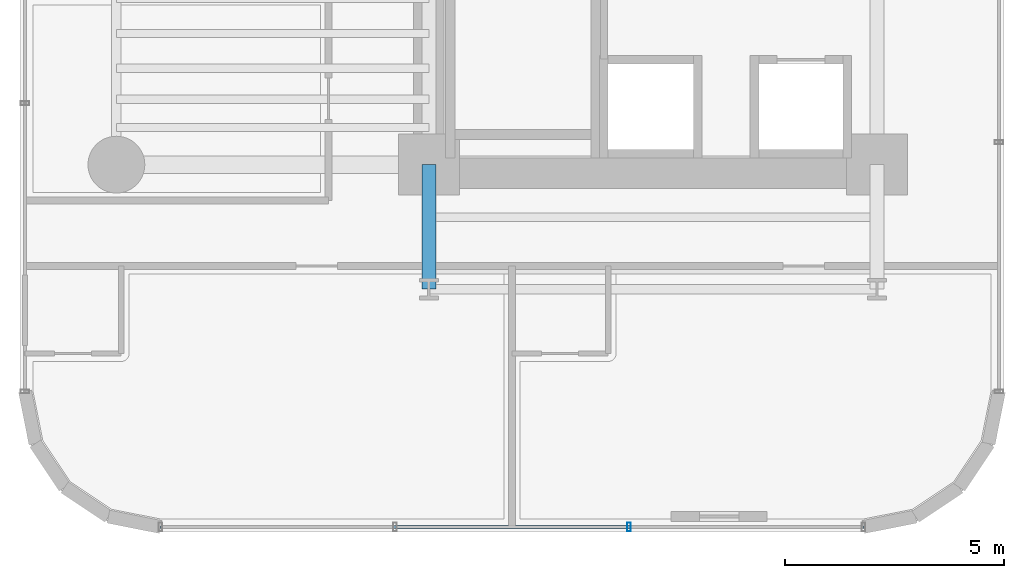
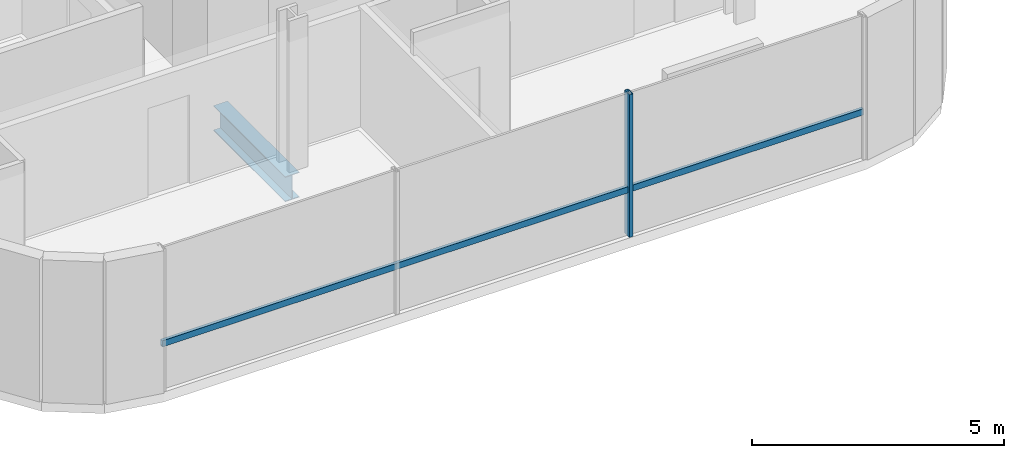
# One storey, part 3 of 40: 2 members, 1 beam, 1 element without a shape of its own.
"""IFC4 building model written with IfcOpenShell, lengths in metres."""

from ifc_helpers import new_model, si_unit, direction, frame, origin, origin_2d, place, context, subcontext, project, spatial, hollow_rectangle, i_section, extrude, source, transform, mapped, material, material_profile, profile_set, type_object, element, aggregate, save


model = new_model("IFC4")

# Units and contexts
model_context = context("Model", 3, precision=1e-05, world=origin(), true_north=direction((0.0, 1.0)))
body_context = subcontext(model_context, "Body", "Model", "MODEL_VIEW")
ifc_project = project(units=[si_unit("LENGTHUNIT", "METRE"), si_unit("AREAUNIT", "SQUARE_METRE"), si_unit("VOLUMEUNIT", "CUBIC_METRE"), si_unit("PLANEANGLEUNIT", "RADIAN"), si_unit("MASSUNIT", "GRAM", prefix="KILO")], contexts=[model_context])

# Site, building, storey
site_placement = place(None, origin())
site = spatial("IfcSite", under=ifc_project, at=site_placement, CompositionType="ELEMENT")
building_placement = place(site_placement, origin())
building = spatial("IfcBuilding", under=site, at=building_placement, Name="Valdorenza Pilgrim Sanctuary Tower", CompositionType="ELEMENT")
storey_placement = place(building_placement, frame((0.0, 0.0, 40.800048828125)))
storey = spatial("IfcBuildingStorey", under=building, at=storey_placement, Name="L09", CompositionType="ELEMENT", Elevation=40.800048828125)

# Beam
ifc_material_1 = material(Name="Steel ASTM A992 Grade 50", Category="steel")
ifc_material_profile_1 = material_profile(ifc_material_1, i_section(OverallWidth=0.323974609375, OverallDepth=0.611083984375, WebThickness=0.0126953125, FlangeThickness=0.01904296875, at=origin_2d()), Name="W24X104")
ifc_profile_set_1 = profile_set([ifc_material_profile_1], Name="Steel ASTM A992 Grade 50")
beam_type = type_object("IfcBeamType", Name="STR-BM-GRD-W24B", PredefinedType="BEAM", material=ifc_profile_set_1)
shared_shape_1 = source(origin(), body_context, "Body", "SweptSolid", [
    extrude(i_section(OverallWidth=0.323974609375, OverallDepth=0.611083984375, WebThickness=0.0126953125, FlangeThickness=0.01904296875, at=origin_2d()), origin(), (0.0, 0.0, 1.0), 2.849853515625),
])
beam_placement = place(storey_placement, frame((-22.64990234375, -13.449951171875, -0.545654296875), z_axis=(0.0, 1.0, 0.0), x_axis=(-1.0, 0.0, 0.0)))
element("IfcBeam", 1, at=beam_placement, inside=storey, type_object=beam_type, Name="L09 Floor Girder WA-S-LW", PredefinedType="BEAM", context=body_context, shape_type="MappedRepresentation", body=[
    mapped(shared_shape_1, transform((0.0, 0.0, 0.0), x_axis=(1.0, 0.0, 0.0), y_axis=(0.0, 1.0, 0.0), z_axis=(0.0, 0.0, 1.0), scale=1.0)),
])

# Curtain wall, members
ifc_material_2 = material(Name="Curtain-wall IGU glazing", Category="glass")
curtain_wall_type = type_object("IfcCurtainWallType", Name="CW-SYS-02", PredefinedType="NOTDEFINED", material=ifc_material_2)
curtain_wall_placement = place(storey_placement, origin())
curtain_wall = element("IfcCurtainWall", 2, at=curtain_wall_placement, inside=storey, type_object=curtain_wall_type, Name="L09 Curtain Wall CW-L09-1-46", PredefinedType="NOTDEFINED")
ifc_material_3 = material(Name="Anodised aluminium AW-6060", Category="aluminium")
ifc_material_profile_2 = material_profile(ifc_material_3, hollow_rectangle(XDim=0.0849609375, YDim=0.199951171875, WallThickness=0.0048828125, at=origin_2d()), Name="ALU-M 200x85x5")
ifc_profile_set_2 = profile_set([ifc_material_profile_2], Name="Anodised aluminium AW-6060")
member_type_1 = type_object("IfcMemberType", Name="CW-MUL-02", PredefinedType="MULLION", material=ifc_profile_set_2)
shared_shape_2 = source(origin(), body_context, "Body", "SweptSolid", [
    extrude(hollow_rectangle(XDim=0.0849609375, YDim=0.199951171875, WallThickness=0.0048828125, at=origin_2d()), origin(), (0.0, 0.0, 1.0), 3.4599609375),
])
member_1_placement = place(storey_placement, frame((-18.0703125, -18.889892578125, 0.0), z_axis=(0.0, 0.0, 1.0), x_axis=(-1.0, 0.0, 0.0)))
member_1 = element("IfcMember", 3, at=member_1_placement, type_object=member_type_1, Name="CW-L09-1-46 Mullion 2", PredefinedType="MULLION", context=body_context, shape_type="MappedRepresentation", body=[
    mapped(shared_shape_2, transform((0.0, 0.0, 0.0), x_axis=(1.0, 0.0, 0.0), y_axis=(0.0, 1.0, 0.0), z_axis=(0.0, 0.0, 1.0), scale=1.0)),
])
ifc_material_profile_3 = material_profile(ifc_material_3, hollow_rectangle(XDim=0.074951171875, YDim=0.14990234375, WallThickness=0.00390625, at=origin_2d()), Name="ALU-T 150x75x4")
ifc_profile_set_3 = profile_set([ifc_material_profile_3], Name="Anodised aluminium AW-6060")
member_type_2 = type_object("IfcMemberType", Name="CW-TRN-02", PredefinedType="USERDEFINED", material=ifc_profile_set_3)
shared_shape_3 = source(origin(), body_context, "Body", "SweptSolid", [
    extrude(hollow_rectangle(XDim=0.074951171875, YDim=0.14990234375, WallThickness=0.00390625, at=origin_2d()), origin(), (0.0, 0.0, 1.0), 16.07861328125),
])
member_2_placement = place(storey_placement, frame((-12.710693359375, -18.889892578125, 1.119873046875), z_axis=(-1.0, 0.0, 0.0), x_axis=(0.0, -1.0, 0.0)))
member_2 = element("IfcMember", 4, at=member_2_placement, type_object=member_type_2, Name="CW-L09-1-46 Transom 1", ObjectType="TRANSOM", PredefinedType="USERDEFINED", context=body_context, shape_type="MappedRepresentation", body=[
    mapped(shared_shape_3, transform((0.0, 0.0, 0.0), x_axis=(1.0, 0.0, 0.0), y_axis=(0.0, 1.0, 0.0), z_axis=(0.0, 0.0, 1.0), scale=1.0)),
])
aggregate(curtain_wall, [member_1, member_2])

save(model, "model.ifc")
